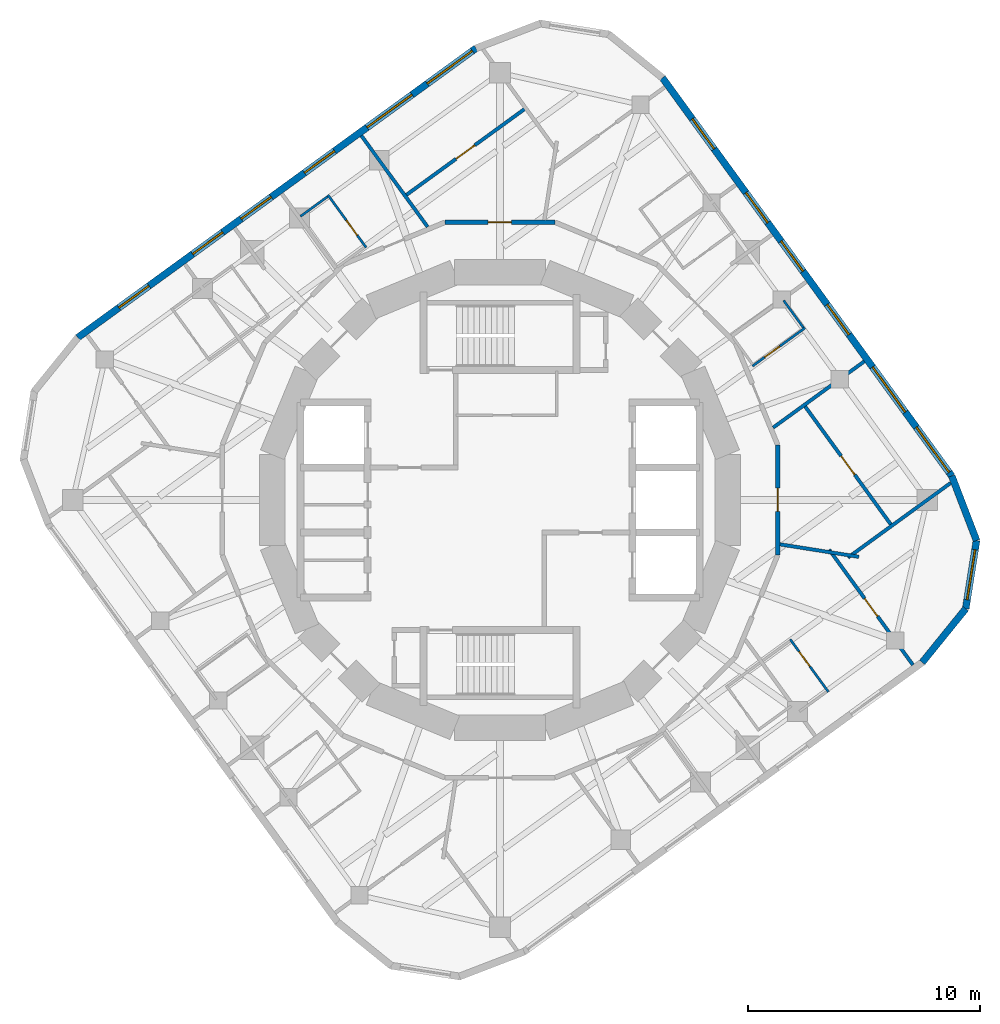
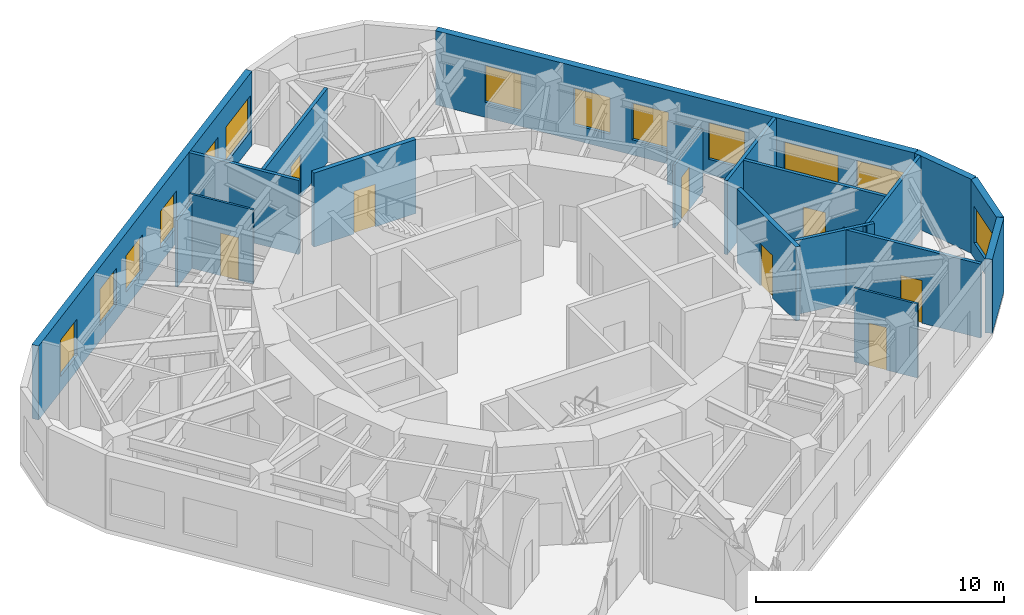
# One storey, part 7 of 9: 19 walls, 13 windows, 8 doors, 21 openings.
"""IFC4 building model written with IfcOpenShell, lengths in metres."""

from ifc_helpers import new_model, si_unit, direction, frame, frame_2d, origin, place, context, subcontext, project, spatial, rectangle, extrude, material, layer, layer_set, type_object, element, fill, save


model = new_model("IFC4")

# Units and contexts
model_context = context("Model", 3, precision=1e-05, world=origin(), true_north=direction((0.0, 1.0)))
body_context = subcontext(model_context, "Body", "Model", "MODEL_VIEW")
ifc_project = project(units=[si_unit("LENGTHUNIT", "METRE"), si_unit("AREAUNIT", "SQUARE_METRE"), si_unit("VOLUMEUNIT", "CUBIC_METRE"), si_unit("PLANEANGLEUNIT", "RADIAN"), si_unit("MASSUNIT", "GRAM", prefix="KILO")], contexts=[model_context])

# Site, building, storey
site_placement = place(None, origin())
site = spatial("IfcSite", under=ifc_project, at=site_placement, CompositionType="ELEMENT")
building_placement = place(site_placement, origin())
building = spatial("IfcBuilding", under=site, at=building_placement, Name="Nakasero Lantern House", CompositionType="ELEMENT")
storey_placement = place(building_placement, frame((0.0, 0.0, 294.550048828125)))
storey = spatial("IfcBuildingStorey", under=building, at=storey_placement, Name="L72", CompositionType="ELEMENT", Elevation=294.550048828125)

# Wall, opening, door
ifc_material_1 = material(Name="Blockwork", Category="masonry")
ifc_layer_1 = layer(ifc_material_1, 0.199951171875)
ifc_layer_set_1 = layer_set([ifc_layer_1], Name="Corridor wall 200")
wall_type_1 = type_object("IfcWallType", Name="Corridor wall 200", PredefinedType="PARTITIONING", material=ifc_layer_set_1)
wall_1_placement = place(storey_placement, frame((11.957763671875, 2.378662109375, 0.0), z_axis=(0.0, 0.0, 1.0), x_axis=(0.0, -1.0, 0.0)))
wall_1 = element("IfcWall", 1, at=wall_1_placement, inside=storey, type_object=wall_type_1, Name="Corridor wall L72 RC00a", PredefinedType="PARTITIONING", context=body_context, shape_type="SweptSolid", body=[
    extrude(rectangle(XDim=4.75732421875, YDim=0.199951171875, at=frame_2d((2.378662109375, 0.0))), origin(), (0.0, 0.0, 1.0), 3.64990234375),
])
opening_1_placement = place(wall_1_placement, frame((1.8701171875, 0.0, 0.0)))
opening_1 = element("IfcOpeningElement", 2, at=opening_1_placement, cuts=wall_1, Name="Opening D03", PredefinedType="OPENING", context=body_context, shape_type="SweptSolid", body=[
    extrude(rectangle(XDim=1.0, YDim=2.10009765625, at=frame_2d((0.5, 1.050048828125))), frame((0.0, 0.119873046875, 0.0), z_axis=(0.0, -1.0, 0.0), x_axis=(1.0, 0.0, 0.0)), (0.0, 0.0, 1.0), 0.239990234375),
])
ifc_material_2 = material(Name="Timber C24", Category="wood")
door_type_1 = type_object("IfcDoorType", Name="Lounge door FD30S 1000", OperationType="SINGLE_SWING_LEFT", PredefinedType="DOOR", material=ifc_material_2)
door_1_placement = place(opening_1_placement, origin())
door_1 = element("IfcDoor", 3, at=door_1_placement, inside=storey, type_object=door_type_1, Name="Door L72 DK0", OperationType="SINGLE_SWING_LEFT", OverallHeight=2.10009765625, OverallWidth=1.0, PredefinedType="DOOR", context=body_context, shape_type="SweptSolid", body=[
    extrude(rectangle(XDim=1.0, YDim=2.10009765625, at=frame_2d((0.5, 1.050048828125))), frame((0.0, 0.02490234375, 0.0), z_axis=(0.0, -1.0, 0.0), x_axis=(1.0, 0.0, 0.0)), (0.0, 0.0, 1.0), 0.050048828125),
])
fill(opening_1, door_1)

wall_2_placement = place(storey_placement, frame((-2.378662109375, 11.957763671875, 0.0), z_axis=(0.0, 0.0, 1.0), x_axis=(1.0, 0.0, 0.0)))
wall_2 = element("IfcWall", 4, at=wall_2_placement, inside=storey, type_object=wall_type_1, Name="Corridor wall L72 RC12a", PredefinedType="PARTITIONING", context=body_context, shape_type="SweptSolid", body=[
    extrude(rectangle(XDim=4.75732421875, YDim=0.199951171875, at=frame_2d((2.378662109375, 0.0))), origin(), (0.0, 0.0, 1.0), 3.64990234375),
])
opening_2_placement = place(wall_2_placement, frame((1.8701171875, 0.0, 0.0)))
opening_2 = element("IfcOpeningElement", 5, at=opening_2_placement, cuts=wall_2, Name="Opening D03", PredefinedType="OPENING", context=body_context, shape_type="SweptSolid", body=[
    extrude(rectangle(XDim=1.0, YDim=2.10009765625, at=frame_2d((0.5, 1.050048828125))), frame((0.0, 0.119873046875, 0.0), z_axis=(0.0, -1.0, 0.0), x_axis=(1.0, 0.0, 0.0)), (0.0, 0.0, 1.0), 0.239990234375),
])
door_2_placement = place(opening_2_placement, origin())
door_2 = element("IfcDoor", 6, at=door_2_placement, inside=storey, type_object=door_type_1, Name="Door L72 DK1", OperationType="SINGLE_SWING_LEFT", OverallHeight=2.10009765625, OverallWidth=1.0, PredefinedType="DOOR", context=body_context, shape_type="SweptSolid", body=[
    extrude(rectangle(XDim=1.0, YDim=2.10009765625, at=frame_2d((0.5, 1.050048828125))), frame((0.0, 0.02490234375, 0.0), z_axis=(0.0, -1.0, 0.0), x_axis=(1.0, 0.0, 0.0)), (0.0, 0.0, 1.0), 0.050048828125),
])
fill(opening_2, door_2)

ifc_material_3 = material(Name="Blockwork", Category="masonry")
ifc_layer_2 = layer(ifc_material_3, 0.10009765625)
ifc_layer_set_2 = layer_set([ifc_layer_2], Name="En-suite wall 100")
wall_type_2 = type_object("IfcWallType", Name="En-suite wall 100", PredefinedType="PARTITIONING", material=ifc_layer_set_2)
wall_3_placement = place(storey_placement, frame((10.872314453125, 5.76513671875, 0.0), z_axis=(0.0, 0.0, 1.0), x_axis=(0.809041377956, 0.587751689708, 0.0)))
wall_3 = element("IfcWall", 7, at=wall_3_placement, inside=storey, type_object=wall_type_2, Name="En-suite wall L72 ES0-03", PredefinedType="PARTITIONING", context=body_context, shape_type="SweptSolid", body=[
    extrude(rectangle(XDim=2.800048828125, YDim=0.10009765625, at=frame_2d((1.39990234375, 0.0))), origin(), (0.0, 0.0, 1.0), 3.11328125),
])
opening_3_placement = place(wall_3_placement, frame((0.64990234375, 0.0, 0.0)))
opening_3 = element("IfcOpeningElement", 8, at=opening_3_placement, cuts=wall_3, Name="Opening D02", PredefinedType="OPENING", context=body_context, shape_type="SweptSolid", body=[
    extrude(rectangle(XDim=0.800048828125, YDim=2.10009765625, at=frame_2d((0.39990234375, 1.050048828125))), frame((0.0, 0.070068359375, 0.0), z_axis=(0.0, -1.0, 0.0), x_axis=(1.0, 0.0, 0.0)), (0.0, 0.0, 1.0), 0.14013671875),
])
ifc_material_4 = material(Name="Timber C24", Category="wood")
door_type_2 = type_object("IfcDoorType", Name="En-suite door 800", OperationType="SINGLE_SWING_RIGHT", PredefinedType="DOOR", material=ifc_material_4)
door_3_placement = place(opening_3_placement, origin())
door_3 = element("IfcDoor", 9, at=door_3_placement, inside=storey, type_object=door_type_2, Name="Door L72 DE0-03", OperationType="SINGLE_SWING_LEFT", OverallHeight=2.10009765625, OverallWidth=0.800048828125, PredefinedType="DOOR", context=body_context, shape_type="SweptSolid", body=[
    extrude(rectangle(XDim=0.800048828125, YDim=2.10009765625, at=frame_2d((0.39990234375, 1.050048828125))), frame((0.0, 0.02490234375, 0.0), z_axis=(0.0, -1.0, 0.0), x_axis=(1.0, 0.0, 0.0)), (0.0, 0.0, 1.0), 0.050048828125),
])
fill(opening_3, door_3)

# Wall
wall_4_placement = place(storey_placement, frame((13.06787109375, 7.421875, 0.0), z_axis=(0.0, 0.0, 1.0), x_axis=(-0.587781191743, 0.809019944521, 0.0)))
element("IfcWall", 10, at=wall_4_placement, inside=storey, type_object=wall_type_2, Name="En-suite wall L72 EE0-03", PredefinedType="PARTITIONING", context=body_context, shape_type="SweptSolid", body=[
    extrude(rectangle(XDim=1.449951171875, YDim=0.10009765625, at=frame_2d((0.72509765625, 0.0))), origin(), (0.0, 0.0, 1.0), 3.11328125),
])

# Wall, opening, door
wall_5_placement = place(storey_placement, frame((-5.76513671875, 10.872314453125, 0.0), z_axis=(0.0, 0.0, 1.0), x_axis=(-0.587751689708, 0.809041377956, 0.0)))
wall_5 = element("IfcWall", 11, at=wall_5_placement, inside=storey, type_object=wall_type_2, Name="En-suite wall L72 ES1-03", PredefinedType="PARTITIONING", context=body_context, shape_type="SweptSolid", body=[
    extrude(rectangle(XDim=2.800048828125, YDim=0.10009765625, at=frame_2d((1.39990234375, 0.0))), origin(), (0.0, 0.0, 1.0), 3.64990234375),
])
opening_4_placement = place(wall_5_placement, frame((0.64990234375, 0.0, 0.0)))
opening_4 = element("IfcOpeningElement", 12, at=opening_4_placement, cuts=wall_5, Name="Opening D02", PredefinedType="OPENING", context=body_context, shape_type="SweptSolid", body=[
    extrude(rectangle(XDim=0.800048828125, YDim=2.10009765625, at=frame_2d((0.39990234375, 1.050048828125))), frame((0.0, 0.070068359375, 0.0), z_axis=(0.0, -1.0, 0.0), x_axis=(1.0, 0.0, 0.0)), (0.0, 0.0, 1.0), 0.14013671875),
])
door_4_placement = place(opening_4_placement, origin())
door_4 = element("IfcDoor", 13, at=door_4_placement, inside=storey, type_object=door_type_2, Name="Door L72 DE1-03", OperationType="SINGLE_SWING_LEFT", OverallHeight=2.10009765625, OverallWidth=0.800048828125, PredefinedType="DOOR", context=body_context, shape_type="SweptSolid", body=[
    extrude(rectangle(XDim=0.800048828125, YDim=2.10009765625, at=frame_2d((0.39990234375, 1.050048828125))), frame((0.0, 0.02490234375, 0.0), z_axis=(0.0, -1.0, 0.0), x_axis=(1.0, 0.0, 0.0)), (0.0, 0.0, 1.0), 0.050048828125),
])
fill(opening_4, door_4)

# Wall
wall_6_placement = place(storey_placement, frame((-7.421875, 13.06787109375, 0.0), z_axis=(0.0, 0.0, 1.0), x_axis=(-0.809019944521, -0.587781191743, 0.0)))
element("IfcWall", 14, at=wall_6_placement, inside=storey, type_object=wall_type_2, Name="En-suite wall L72 EE1-03", PredefinedType="PARTITIONING", context=body_context, shape_type="SweptSolid", body=[
    extrude(rectangle(XDim=1.449951171875, YDim=0.10009765625, at=frame_2d((0.72509765625, 0.0))), origin(), (0.0, 0.0, 1.0), 3.294921875),
])

# Wall, opening, door
wall_7_placement = place(storey_placement, frame((12.498046875, -5.999755859375, 0.0), z_axis=(0.0, 0.0, 1.0), x_axis=(0.587793152327, -0.809011254605, 0.0)))
wall_7 = element("IfcWall", 15, at=wall_7_placement, inside=storey, type_object=wall_type_2, Name="En-suite wall L72 ES3-06", PredefinedType="PARTITIONING", context=body_context, shape_type="SweptSolid", body=[
    extrude(rectangle(XDim=2.7998046875, YDim=0.10009765625, at=frame_2d((1.39990234375, 0.0))), origin(), (0.0, 0.0, 1.0), 3.64990234375),
])
opening_5_placement = place(wall_7_placement, frame((0.64990234375, 0.0, 0.0)))
opening_5 = element("IfcOpeningElement", 16, at=opening_5_placement, cuts=wall_7, Name="Opening D02", PredefinedType="OPENING", context=body_context, shape_type="SweptSolid", body=[
    extrude(rectangle(XDim=0.800048828125, YDim=2.10009765625, at=frame_2d((0.39990234375, 1.050048828125))), frame((0.0, 0.070068359375, 0.0), z_axis=(0.0, -1.0, 0.0), x_axis=(1.0, 0.0, 0.0)), (0.0, 0.0, 1.0), 0.14013671875),
])
door_5_placement = place(opening_5_placement, origin())
door_5 = element("IfcDoor", 17, at=door_5_placement, inside=storey, type_object=door_type_2, Name="Door L72 DE3-06", OperationType="SINGLE_SWING_LEFT", OverallHeight=2.10009765625, OverallWidth=0.800048828125, PredefinedType="DOOR", context=body_context, shape_type="SweptSolid", body=[
    extrude(rectangle(XDim=0.800048828125, YDim=2.10009765625, at=frame_2d((0.39990234375, 1.050048828125))), frame((0.0, 0.02490234375, 0.0), z_axis=(0.0, -1.0, 0.0), x_axis=(1.0, 0.0, 0.0)), (0.0, 0.0, 1.0), 0.050048828125),
])
fill(opening_5, door_5)

# Wall, openings, windows
ifc_material_5 = material(Name="Aluminium rainscreen on blockwork", Category="masonry")
ifc_layer_3 = layer(ifc_material_5, 0.300048828125)
ifc_layer_set_3 = layer_set([ifc_layer_3], Name="Facade wall 300")
wall_type_3 = type_object("IfcWallType", Name="Facade wall 300", PredefinedType="SOLIDWALL", material=ifc_layer_set_3)
wall_8_placement = place(storey_placement, frame((19.4580078125, 1.03466796875, 0.0), z_axis=(0.0, 0.0, 1.0), x_axis=(-0.587790233451, 0.809013375328, 0.0)))
wall_8 = element("IfcWall", 18, at=wall_8_placement, inside=storey, type_object=wall_type_3, Name="Facade wall L72 FW0S", PredefinedType="SOLIDWALL", context=body_context, shape_type="SweptSolid", body=[
    extrude(rectangle(XDim=21.199951171875, YDim=0.300048828125, at=frame_2d((10.60009765625, 0.0))), origin(), (0.0, 0.0, 1.0), 3.64990234375),
])
opening_6_placement = place(wall_8_placement, frame((7.52783203125, 0.0, 0.75)))
opening_6 = element("IfcOpeningElement", 19, at=opening_6_placement, cuts=wall_8, Name="Opening W01", PredefinedType="OPENING", context=body_context, shape_type="SweptSolid", body=[
    extrude(rectangle(XDim=1.60009765625, YDim=1.800048828125, at=frame_2d((0.800048828125, 0.89990234375))), frame((0.0, 0.169921875, 0.0), z_axis=(0.0, -1.0, 0.0), x_axis=(1.0, 0.0, 0.0)), (0.0, 0.0, 1.0), 0.340087890625),
])
opening_7_placement = place(wall_8_placement, frame((10.904052734375, 0.0, 0.75)))
opening_7 = element("IfcOpeningElement", 20, at=opening_7_placement, cuts=wall_8, Name="Opening W01", PredefinedType="OPENING", context=body_context, shape_type="SweptSolid", body=[
    extrude(rectangle(XDim=1.60009765625, YDim=1.800048828125, at=frame_2d((0.800048828125, 0.89990234375))), frame((0.0, 0.169921875, 0.0), z_axis=(0.0, -1.0, 0.0), x_axis=(1.0, 0.0, 0.0)), (0.0, 0.0, 1.0), 0.340087890625),
])
opening_8_placement = place(wall_8_placement, frame((13.484619140625, 0.0, 0.75)))
opening_8 = element("IfcOpeningElement", 21, at=opening_8_placement, cuts=wall_8, Name="Opening W01", PredefinedType="OPENING", context=body_context, shape_type="SweptSolid", body=[
    extrude(rectangle(XDim=1.60009765625, YDim=1.800048828125, at=frame_2d((0.800048828125, 0.89990234375))), frame((0.0, 0.169921875, 0.0), z_axis=(0.0, -1.0, 0.0), x_axis=(1.0, 0.0, 0.0)), (0.0, 0.0, 1.0), 0.340087890625),
])
opening_9_placement = place(wall_8_placement, frame((17.410888671875, 0.0, 0.75)))
opening_9 = element("IfcOpeningElement", 22, at=opening_9_placement, cuts=wall_8, Name="Opening W01", PredefinedType="OPENING", context=body_context, shape_type="SweptSolid", body=[
    extrude(rectangle(XDim=1.60009765625, YDim=1.800048828125, at=frame_2d((0.800048828125, 0.89990234375))), frame((0.0, 0.169921875, 0.0), z_axis=(0.0, -1.0, 0.0), x_axis=(1.0, 0.0, 0.0)), (0.0, 0.0, 1.0), 0.340087890625),
])
opening_10_placement = place(wall_8_placement, frame((0.1904296875, 0.0, 0.75)))
opening_10 = element("IfcOpeningElement", 23, at=opening_10_placement, cuts=wall_8, Name="Opening W03", PredefinedType="OPENING", context=body_context, shape_type="SweptSolid", body=[
    extrude(rectangle(XDim=2.39990234375, YDim=1.800048828125, at=frame_2d((1.199951171875, 0.89990234375))), frame((0.0, 0.169921875, 0.0), z_axis=(0.0, -1.0, 0.0), x_axis=(1.0, 0.0, 0.0)), (0.0, 0.0, 1.0), 0.340087890625),
])
opening_11_placement = place(wall_8_placement, frame((3.401611328125, 0.0, 0.75)))
opening_11 = element("IfcOpeningElement", 24, at=opening_11_placement, cuts=wall_8, Name="Opening W03", PredefinedType="OPENING", context=body_context, shape_type="SweptSolid", body=[
    extrude(rectangle(XDim=2.39990234375, YDim=1.800048828125, at=frame_2d((1.199951171875, 0.89990234375))), frame((0.0, 0.169921875, 0.0), z_axis=(0.0, -1.0, 0.0), x_axis=(1.0, 0.0, 0.0)), (0.0, 0.0, 1.0), 0.340087890625),
])
ifc_material_6 = material(Name="Aluminium 6063-T6 and glass", Category="aluminium")
window_type_1 = type_object("IfcWindowType", Name="Bedroom window 1600x1800", PartitioningType="SINGLE_PANEL", PredefinedType="WINDOW", material=ifc_material_6)
window_1_placement = place(opening_6_placement, origin())
window_1 = element("IfcWindow", 25, at=window_1_placement, inside=storey, type_object=window_type_1, Name="Window L72 WN0-03", OverallHeight=1.800048828125, OverallWidth=1.60009765625, PartitioningType="SINGLE_PANEL", PredefinedType="WINDOW", context=body_context, shape_type="SweptSolid", body=[
    extrude(rectangle(XDim=1.60009765625, YDim=1.800048828125, at=frame_2d((0.800048828125, 0.89990234375))), frame((0.0, 0.030029296875, 0.0), z_axis=(0.0, -1.0, 0.0), x_axis=(1.0, 0.0, 0.0)), (0.0, 0.0, 1.0), 0.06005859375),
])
fill(opening_6, window_1)
window_2_placement = place(opening_7_placement, origin())
window_2 = element("IfcWindow", 26, at=window_2_placement, inside=storey, type_object=window_type_1, Name="Window L72 WN0-04", OverallHeight=1.800048828125, OverallWidth=1.60009765625, PartitioningType="SINGLE_PANEL", PredefinedType="WINDOW", context=body_context, shape_type="SweptSolid", body=[
    extrude(rectangle(XDim=1.60009765625, YDim=1.800048828125, at=frame_2d((0.800048828125, 0.89990234375))), frame((0.0, 0.030029296875, 0.0), z_axis=(0.0, -1.0, 0.0), x_axis=(1.0, 0.0, 0.0)), (0.0, 0.0, 1.0), 0.06005859375),
])
fill(opening_7, window_2)
window_3_placement = place(opening_8_placement, origin())
window_3 = element("IfcWindow", 27, at=window_3_placement, inside=storey, type_object=window_type_1, Name="Window L72 WN0-05", OverallHeight=1.800048828125, OverallWidth=1.60009765625, PartitioningType="SINGLE_PANEL", PredefinedType="WINDOW", context=body_context, shape_type="SweptSolid", body=[
    extrude(rectangle(XDim=1.60009765625, YDim=1.800048828125, at=frame_2d((0.800048828125, 0.89990234375))), frame((0.0, 0.030029296875, 0.0), z_axis=(0.0, -1.0, 0.0), x_axis=(1.0, 0.0, 0.0)), (0.0, 0.0, 1.0), 0.06005859375),
])
fill(opening_8, window_3)
window_4_placement = place(opening_9_placement, origin())
window_4 = element("IfcWindow", 28, at=window_4_placement, inside=storey, type_object=window_type_1, Name="Window L72 WN0-06", OverallHeight=1.800048828125, OverallWidth=1.60009765625, PartitioningType="SINGLE_PANEL", PredefinedType="WINDOW", context=body_context, shape_type="SweptSolid", body=[
    extrude(rectangle(XDim=1.60009765625, YDim=1.800048828125, at=frame_2d((0.800048828125, 0.89990234375))), frame((0.0, 0.030029296875, 0.0), z_axis=(0.0, -1.0, 0.0), x_axis=(1.0, 0.0, 0.0)), (0.0, 0.0, 1.0), 0.06005859375),
])
fill(opening_9, window_4)
ifc_material_7 = material(Name="Aluminium 6063-T6 and glass", Category="aluminium")
window_type_2 = type_object("IfcWindowType", Name="Lounge window 2400x1800", PartitioningType="SINGLE_PANEL", PredefinedType="WINDOW", material=ifc_material_7)
window_5_placement = place(opening_10_placement, origin())
window_5 = element("IfcWindow", 29, at=window_5_placement, inside=storey, type_object=window_type_2, Name="Window L72 WK0", OverallHeight=1.800048828125, OverallWidth=2.39990234375, PartitioningType="SINGLE_PANEL", PredefinedType="WINDOW", context=body_context, shape_type="SweptSolid", body=[
    extrude(rectangle(XDim=2.39990234375, YDim=1.800048828125, at=frame_2d((1.199951171875, 0.89990234375))), frame((0.0, 0.030029296875, 0.0), z_axis=(0.0, -1.0, 0.0), x_axis=(1.0, 0.0, 0.0)), (0.0, 0.0, 1.0), 0.06005859375),
])
fill(opening_10, window_5)
window_6_placement = place(opening_11_placement, origin())
window_6 = element("IfcWindow", 30, at=window_6_placement, inside=storey, type_object=window_type_2, Name="Window L72 WL0", OverallHeight=1.800048828125, OverallWidth=2.39990234375, PartitioningType="SINGLE_PANEL", PredefinedType="WINDOW", context=body_context, shape_type="SweptSolid", body=[
    extrude(rectangle(XDim=2.39990234375, YDim=1.800048828125, at=frame_2d((1.199951171875, 0.89990234375))), frame((0.0, 0.030029296875, 0.0), z_axis=(0.0, -1.0, 0.0), x_axis=(1.0, 0.0, 0.0)), (0.0, 0.0, 1.0), 0.06005859375),
])
fill(opening_11, window_6)

wall_9_placement = place(storey_placement, frame((-1.03466796875, 19.4580078125, 0.0), z_axis=(0.0, 0.0, 1.0), x_axis=(-0.809013375328, -0.587790233451, 0.0)))
wall_9 = element("IfcWall", 31, at=wall_9_placement, inside=storey, type_object=wall_type_3, Name="Facade wall L72 FW1S", PredefinedType="SOLIDWALL", context=body_context, shape_type="SweptSolid", body=[
    extrude(rectangle(XDim=21.199951171875, YDim=0.300048828125, at=frame_2d((10.60009765625, 0.0))), origin(), (0.0, 0.0, 1.0), 3.64990234375),
])
opening_12_placement = place(wall_9_placement, frame((7.52783203125, 0.0, 0.75)))
opening_12 = element("IfcOpeningElement", 32, at=opening_12_placement, cuts=wall_9, Name="Opening W01", PredefinedType="OPENING", context=body_context, shape_type="SweptSolid", body=[
    extrude(rectangle(XDim=1.60009765625, YDim=1.800048828125, at=frame_2d((0.800048828125, 0.89990234375))), frame((0.0, 0.169921875, 0.0), z_axis=(0.0, -1.0, 0.0), x_axis=(1.0, 0.0, 0.0)), (0.0, 0.0, 1.0), 0.340087890625),
])
opening_13_placement = place(wall_9_placement, frame((10.904052734375, 0.0, 0.75)))
opening_13 = element("IfcOpeningElement", 33, at=opening_13_placement, cuts=wall_9, Name="Opening W01", PredefinedType="OPENING", context=body_context, shape_type="SweptSolid", body=[
    extrude(rectangle(XDim=1.60009765625, YDim=1.800048828125, at=frame_2d((0.800048828125, 0.89990234375))), frame((0.0, 0.169921875, 0.0), z_axis=(0.0, -1.0, 0.0), x_axis=(1.0, 0.0, 0.0)), (0.0, 0.0, 1.0), 0.340087890625),
])
opening_14_placement = place(wall_9_placement, frame((13.484619140625, 0.0, 0.75)))
opening_14 = element("IfcOpeningElement", 34, at=opening_14_placement, cuts=wall_9, Name="Opening W01", PredefinedType="OPENING", context=body_context, shape_type="SweptSolid", body=[
    extrude(rectangle(XDim=1.60009765625, YDim=1.800048828125, at=frame_2d((0.800048828125, 0.89990234375))), frame((0.0, 0.169921875, 0.0), z_axis=(0.0, -1.0, 0.0), x_axis=(1.0, 0.0, 0.0)), (0.0, 0.0, 1.0), 0.340087890625),
])
opening_15_placement = place(wall_9_placement, frame((17.410888671875, 0.0, 0.75)))
opening_15 = element("IfcOpeningElement", 35, at=opening_15_placement, cuts=wall_9, Name="Opening W01", PredefinedType="OPENING", context=body_context, shape_type="SweptSolid", body=[
    extrude(rectangle(XDim=1.60009765625, YDim=1.800048828125, at=frame_2d((0.800048828125, 0.89990234375))), frame((0.0, 0.169921875, 0.0), z_axis=(0.0, -1.0, 0.0), x_axis=(1.0, 0.0, 0.0)), (0.0, 0.0, 1.0), 0.340087890625),
])
opening_16_placement = place(wall_9_placement, frame((0.1904296875, 0.0, 0.75)))
opening_16 = element("IfcOpeningElement", 36, at=opening_16_placement, cuts=wall_9, Name="Opening W03", PredefinedType="OPENING", context=body_context, shape_type="SweptSolid", body=[
    extrude(rectangle(XDim=2.39990234375, YDim=1.800048828125, at=frame_2d((1.199951171875, 0.89990234375))), frame((0.0, 0.169921875, 0.0), z_axis=(0.0, -1.0, 0.0), x_axis=(1.0, 0.0, 0.0)), (0.0, 0.0, 1.0), 0.340087890625),
])
opening_17_placement = place(wall_9_placement, frame((3.401611328125, 0.0, 0.75)))
opening_17 = element("IfcOpeningElement", 37, at=opening_17_placement, cuts=wall_9, Name="Opening W03", PredefinedType="OPENING", context=body_context, shape_type="SweptSolid", body=[
    extrude(rectangle(XDim=2.39990234375, YDim=1.800048828125, at=frame_2d((1.199951171875, 0.89990234375))), frame((0.0, 0.169921875, 0.0), z_axis=(0.0, -1.0, 0.0), x_axis=(1.0, 0.0, 0.0)), (0.0, 0.0, 1.0), 0.340087890625),
])
window_7_placement = place(opening_12_placement, origin())
window_7 = element("IfcWindow", 38, at=window_7_placement, inside=storey, type_object=window_type_1, Name="Window L72 WN1-03", OverallHeight=1.800048828125, OverallWidth=1.60009765625, PartitioningType="SINGLE_PANEL", PredefinedType="WINDOW", context=body_context, shape_type="SweptSolid", body=[
    extrude(rectangle(XDim=1.60009765625, YDim=1.800048828125, at=frame_2d((0.800048828125, 0.89990234375))), frame((0.0, 0.030029296875, 0.0), z_axis=(0.0, -1.0, 0.0), x_axis=(1.0, 0.0, 0.0)), (0.0, 0.0, 1.0), 0.06005859375),
])
fill(opening_12, window_7)
window_8_placement = place(opening_13_placement, origin())
window_8 = element("IfcWindow", 39, at=window_8_placement, inside=storey, type_object=window_type_1, Name="Window L72 WN1-04", OverallHeight=1.800048828125, OverallWidth=1.60009765625, PartitioningType="SINGLE_PANEL", PredefinedType="WINDOW", context=body_context, shape_type="SweptSolid", body=[
    extrude(rectangle(XDim=1.60009765625, YDim=1.800048828125, at=frame_2d((0.800048828125, 0.89990234375))), frame((0.0, 0.030029296875, 0.0), z_axis=(0.0, -1.0, 0.0), x_axis=(1.0, 0.0, 0.0)), (0.0, 0.0, 1.0), 0.06005859375),
])
fill(opening_13, window_8)
window_9_placement = place(opening_14_placement, origin())
window_9 = element("IfcWindow", 40, at=window_9_placement, inside=storey, type_object=window_type_1, Name="Window L72 WN1-05", OverallHeight=1.800048828125, OverallWidth=1.60009765625, PartitioningType="SINGLE_PANEL", PredefinedType="WINDOW", context=body_context, shape_type="SweptSolid", body=[
    extrude(rectangle(XDim=1.60009765625, YDim=1.800048828125, at=frame_2d((0.800048828125, 0.89990234375))), frame((0.0, 0.030029296875, 0.0), z_axis=(0.0, -1.0, 0.0), x_axis=(1.0, 0.0, 0.0)), (0.0, 0.0, 1.0), 0.06005859375),
])
fill(opening_14, window_9)
window_10_placement = place(opening_15_placement, origin())
window_10 = element("IfcWindow", 41, at=window_10_placement, inside=storey, type_object=window_type_1, Name="Window L72 WN1-06", OverallHeight=1.800048828125, OverallWidth=1.60009765625, PartitioningType="SINGLE_PANEL", PredefinedType="WINDOW", context=body_context, shape_type="SweptSolid", body=[
    extrude(rectangle(XDim=1.60009765625, YDim=1.800048828125, at=frame_2d((0.800048828125, 0.89990234375))), frame((0.0, 0.030029296875, 0.0), z_axis=(0.0, -1.0, 0.0), x_axis=(1.0, 0.0, 0.0)), (0.0, 0.0, 1.0), 0.06005859375),
])
fill(opening_15, window_10)
window_11_placement = place(opening_16_placement, origin())
window_11 = element("IfcWindow", 42, at=window_11_placement, inside=storey, type_object=window_type_2, Name="Window L72 WK1", OverallHeight=1.800048828125, OverallWidth=2.39990234375, PartitioningType="SINGLE_PANEL", PredefinedType="WINDOW", context=body_context, shape_type="SweptSolid", body=[
    extrude(rectangle(XDim=2.39990234375, YDim=1.800048828125, at=frame_2d((1.199951171875, 0.89990234375))), frame((0.0, 0.030029296875, 0.0), z_axis=(0.0, -1.0, 0.0), x_axis=(1.0, 0.0, 0.0)), (0.0, 0.0, 1.0), 0.06005859375),
])
fill(opening_16, window_11)
window_12_placement = place(opening_17_placement, origin())
window_12 = element("IfcWindow", 43, at=window_12_placement, inside=storey, type_object=window_type_2, Name="Window L72 WL1", OverallHeight=1.800048828125, OverallWidth=2.39990234375, PartitioningType="SINGLE_PANEL", PredefinedType="WINDOW", context=body_context, shape_type="SweptSolid", body=[
    extrude(rectangle(XDim=2.39990234375, YDim=1.800048828125, at=frame_2d((1.199951171875, 0.89990234375))), frame((0.0, 0.030029296875, 0.0), z_axis=(0.0, -1.0, 0.0), x_axis=(1.0, 0.0, 0.0)), (0.0, 0.0, 1.0), 0.06005859375),
])
fill(opening_17, window_12)

# Wall
wall_10_placement = place(storey_placement, frame((18.185791015625, -6.996826171875, 0.0), z_axis=(0.0, 0.0, 1.0), x_axis=(0.629375183362, 0.777101588319, 0.0)))
element("IfcWall", 44, at=wall_10_placement, inside=storey, type_object=wall_type_3, Name="Facade wall L72 FW3C1", PredefinedType="SOLIDWALL", context=body_context, shape_type="SweptSolid", body=[
    extrude(rectangle(XDim=2.976318359375, YDim=0.300048828125, at=frame_2d((1.48828125, 0.0))), origin(), (0.0, 0.0, 1.0), 3.64990234375),
])

# Wall, opening, window
wall_11_placement = place(storey_placement, frame((20.05908203125, -4.683837890625, 0.0), z_axis=(0.0, 0.0, 1.0), x_axis=(0.156413227021, 0.987691704133, 0.0)))
wall_11 = element("IfcWall", 45, at=wall_11_placement, inside=storey, type_object=wall_type_3, Name="Facade wall L72 FW3C2", PredefinedType="SOLIDWALL", context=body_context, shape_type="SweptSolid", body=[
    extrude(rectangle(XDim=2.9765625, YDim=0.300048828125, at=frame_2d((1.48828125, 0.0))), origin(), (0.0, 0.0, 1.0), 3.64990234375),
])
opening_18_placement = place(wall_11_placement, frame((0.39990234375, 0.0, 0.75)))
opening_18 = element("IfcOpeningElement", 46, at=opening_18_placement, cuts=wall_11, Name="Opening W221", PredefinedType="OPENING", context=body_context, shape_type="SweptSolid", body=[
    extrude(rectangle(XDim=2.176025390625, YDim=1.800048828125, at=frame_2d((1.087890625, 0.89990234375))), frame((0.0, 0.169921875, 0.0), z_axis=(0.0, -1.0, 0.0), x_axis=(1.0, 0.0, 0.0)), (0.0, 0.0, 1.0), 0.340087890625),
])
ifc_material_8 = material(Name="Aluminium 6063-T6 and glass", Category="aluminium")
window_type_3 = type_object("IfcWindowType", Name="Corner window 2176x1800", PartitioningType="SINGLE_PANEL", PredefinedType="WINDOW", material=ifc_material_8)
window_13_placement = place(opening_18_placement, origin())
window_13 = element("IfcWindow", 47, at=window_13_placement, inside=storey, type_object=window_type_3, Name="Window L72 WC3", OverallHeight=1.800048828125, OverallWidth=2.176025390625, PartitioningType="SINGLE_PANEL", PredefinedType="WINDOW", context=body_context, shape_type="SweptSolid", body=[
    extrude(rectangle(XDim=2.176025390625, YDim=1.800048828125, at=frame_2d((1.087890625, 0.89990234375))), frame((0.0, 0.030029296875, 0.0), z_axis=(0.0, -1.0, 0.0), x_axis=(1.0, 0.0, 0.0)), (0.0, 0.0, 1.0), 0.06005859375),
])
fill(opening_18, window_13)

# Walls
wall_12_placement = place(storey_placement, frame((20.524658203125, -1.743896484375, 0.0), z_axis=(0.0, 0.0, 1.0), x_axis=(-0.35838535244, 0.933573745966, 0.0)))
element("IfcWall", 48, at=wall_12_placement, inside=storey, type_object=wall_type_3, Name="Facade wall L72 FW3C3", PredefinedType="SOLIDWALL", context=body_context, shape_type="SweptSolid", body=[
    extrude(rectangle(XDim=2.976318359375, YDim=0.300048828125, at=frame_2d((1.48828125, 0.0))), origin(), (0.0, 0.0, 1.0), 3.64990234375),
])
ifc_material_9 = material(Name="Blockwork", Category="masonry")
ifc_layer_4 = layer(ifc_material_9, 0.14990234375)
ifc_layer_set_4 = layer_set([ifc_layer_4], Name="Party wall 150")
wall_type_4 = type_object("IfcWallType", Name="Party wall 150", PredefinedType="PARTITIONING", material=ifc_layer_set_4)
wall_13_placement = place(storey_placement, frame((14.9853515625, -2.48095703125, 0.0), z_axis=(0.0, 0.0, 1.0), x_axis=(0.809023745549, 0.587775959987, 0.0)))
element("IfcWall", 49, at=wall_13_placement, inside=storey, type_object=wall_type_4, Name="Party wall L72 PW0-01", PredefinedType="PARTITIONING", context=body_context, shape_type="SweptSolid", body=[
    extrude(rectangle(XDim=5.466552734375, YDim=0.14990234375, at=frame_2d((2.7333984375, 0.0))), origin(), (0.0, 0.0, 1.0), 3.64990234375),
])
for number, where, z_axis, x_axis, name in (
    (50, (11.760986328125, 3.114990234375, 0.0), (0.0, 0.0, 1.0), (0.809020895183, 0.587779883253, 0.0), "Party wall L72 PW0-03"),
    (51, (-3.114990234375, 11.760986328125, 0.0), (0.0, 0.0, 1.0), (-0.587779883253, 0.809020895183, 0.0), "Party wall L72 PW1-03"),
):
    element("IfcWall", number, at=place(storey_placement, frame(where, z_axis=z_axis, x_axis=x_axis)), inside=storey, type_object=wall_type_4, Name=name, PredefinedType="PARTITIONING", context=body_context, shape_type="SweptSolid", body=[
        extrude(rectangle(XDim=4.854248046875, YDim=0.14990234375, at=frame_2d((2.42724609375, 0.0))), origin(), (0.0, 0.0, 1.0), 3.64990234375),
    ])

# Wall, opening, door
wall_14_placement = place(storey_placement, frame((14.1767578125, -2.137939453125, 0.0), z_axis=(0.0, 0.0, 1.0), x_axis=(0.587774266883, -0.809024975628, 0.0)))
wall_14 = element("IfcWall", 52, at=wall_14_placement, inside=storey, type_object=wall_type_4, Name="Party wall L72 PW3-07", PredefinedType="PARTITIONING", context=body_context, shape_type="SweptSolid", body=[
    extrude(rectangle(XDim=6.137451171875, YDim=0.14990234375, at=frame_2d((3.06884765625, 0.0))), origin(), (0.0, 0.0, 1.0), 3.64990234375),
])
opening_19_placement = place(wall_14_placement, frame((2.60009765625, 0.0, 0.0)))
opening_19 = element("IfcOpeningElement", 53, at=opening_19_placement, cuts=wall_14, Name="Opening D01", PredefinedType="OPENING", context=body_context, shape_type="SweptSolid", body=[
    extrude(rectangle(XDim=0.949951171875, YDim=2.10009765625, at=frame_2d((0.47509765625, 1.050048828125))), frame((0.0, 0.094970703125, 0.0), z_axis=(0.0, -1.0, 0.0), x_axis=(1.0, 0.0, 0.0)), (0.0, 0.0, 1.0), 0.18994140625),
])
ifc_material_10 = material(Name="Timber C24", Category="wood")
door_type_3 = type_object("IfcDoorType", Name="Bedroom door FD30S 950", OperationType="SINGLE_SWING_LEFT", PredefinedType="DOOR", material=ifc_material_10)
door_6_placement = place(opening_19_placement, origin())
door_6 = element("IfcDoor", 54, at=door_6_placement, inside=storey, type_object=door_type_3, Name="Door L72 DC3", OperationType="SINGLE_SWING_RIGHT", OverallHeight=2.10009765625, OverallWidth=0.949951171875, PredefinedType="DOOR", context=body_context, shape_type="SweptSolid", body=[
    extrude(rectangle(XDim=0.949951171875, YDim=2.10009765625, at=frame_2d((0.47509765625, 1.050048828125))), frame((0.0, 0.02490234375, 0.0), z_axis=(0.0, -1.0, 0.0), x_axis=(1.0, 0.0, 0.0)), (0.0, 0.0, 1.0), 0.050048828125),
])
fill(opening_19, door_6)

# Wall
wall_15_placement = place(storey_placement, frame((12.057861328125, -1.90966796875, 0.0), z_axis=(0.0, 0.0, 1.0), x_axis=(0.987683439553, -0.156465405864, 0.0)))
element("IfcWall", 55, at=wall_15_placement, inside=storey, type_object=wall_type_4, Name="Party wall L72 PD3", PredefinedType="PARTITIONING", context=body_context, shape_type="SweptSolid", body=[
    extrude(rectangle(XDim=3.440673828125, YDim=0.14990234375, at=frame_2d((1.72021484375, 0.0))), origin(), (0.0, 0.0, 1.0), 3.64990234375),
])

# Wall, opening, door
wall_16_placement = place(storey_placement, frame((16.8359375, -1.055908203125, 0.0), z_axis=(0.0, 0.0, 1.0), x_axis=(-0.587781741398, 0.809019545177, 0.0)))
wall_16 = element("IfcWall", 56, at=wall_16_placement, inside=storey, type_object=wall_type_4, Name="Party wall L72 KQ0", PredefinedType="PARTITIONING", context=body_context, shape_type="SweptSolid", body=[
    extrude(rectangle(XDim=6.292236328125, YDim=0.14990234375, at=frame_2d((3.14599609375, 0.0))), origin(), (0.0, 0.0, 1.0), 3.64990234375),
])
opening_20_placement = place(wall_16_placement, frame((2.646240234375, 0.0, 0.0)))
opening_20 = element("IfcOpeningElement", 57, at=opening_20_placement, cuts=wall_16, Name="Opening D03", PredefinedType="OPENING", context=body_context, shape_type="SweptSolid", body=[
    extrude(rectangle(XDim=1.0, YDim=2.10009765625, at=frame_2d((0.5, 1.050048828125))), frame((0.0, 0.094970703125, 0.0), z_axis=(0.0, -1.0, 0.0), x_axis=(1.0, 0.0, 0.0)), (0.0, 0.0, 1.0), 0.18994140625),
])
door_7_placement = place(opening_20_placement, origin())
door_7 = element("IfcDoor", 58, at=door_7_placement, inside=storey, type_object=door_type_1, Name="Door L72 DKQ0", OperationType="SINGLE_SWING_LEFT", OverallHeight=2.10009765625, OverallWidth=1.0, PredefinedType="DOOR", context=body_context, shape_type="SweptSolid", body=[
    extrude(rectangle(XDim=1.0, YDim=2.10009765625, at=frame_2d((0.5, 1.050048828125))), frame((0.0, 0.02490234375, 0.0), z_axis=(0.0, -1.0, 0.0), x_axis=(1.0, 0.0, 0.0)), (0.0, 0.0, 1.0), 0.050048828125),
])
fill(opening_20, door_7)

wall_17_placement = place(storey_placement, frame((1.055908203125, 16.8359375, 0.0), z_axis=(0.0, 0.0, 1.0), x_axis=(-0.809019545177, -0.587781741398, 0.0)))
wall_17 = element("IfcWall", 59, at=wall_17_placement, inside=storey, type_object=wall_type_4, Name="Party wall L72 KQ1", PredefinedType="PARTITIONING", context=body_context, shape_type="SweptSolid", body=[
    extrude(rectangle(XDim=6.292236328125, YDim=0.14990234375, at=frame_2d((3.14599609375, 0.0))), origin(), (0.0, 0.0, 1.0), 3.64990234375),
])
opening_21_placement = place(wall_17_placement, frame((2.646240234375, 0.0, 0.0)))
opening_21 = element("IfcOpeningElement", 60, at=opening_21_placement, cuts=wall_17, Name="Opening D03", PredefinedType="OPENING", context=body_context, shape_type="SweptSolid", body=[
    extrude(rectangle(XDim=1.0, YDim=2.10009765625, at=frame_2d((0.5, 1.050048828125))), frame((0.0, 0.094970703125, 0.0), z_axis=(0.0, -1.0, 0.0), x_axis=(1.0, 0.0, 0.0)), (0.0, 0.0, 1.0), 0.18994140625),
])
door_8_placement = place(opening_21_placement, origin())
door_8 = element("IfcDoor", 61, at=door_8_placement, inside=storey, type_object=door_type_1, Name="Door L72 DKQ1", OperationType="SINGLE_SWING_LEFT", OverallHeight=2.10009765625, OverallWidth=1.0, PredefinedType="DOOR", context=body_context, shape_type="SweptSolid", body=[
    extrude(rectangle(XDim=1.0, YDim=2.10009765625, at=frame_2d((0.5, 1.050048828125))), frame((0.0, 0.02490234375, 0.0), z_axis=(0.0, -1.0, 0.0), x_axis=(1.0, 0.0, 0.0)), (0.0, 0.0, 1.0), 0.050048828125),
])
fill(opening_21, door_8)

save(model, "model.ifc")
